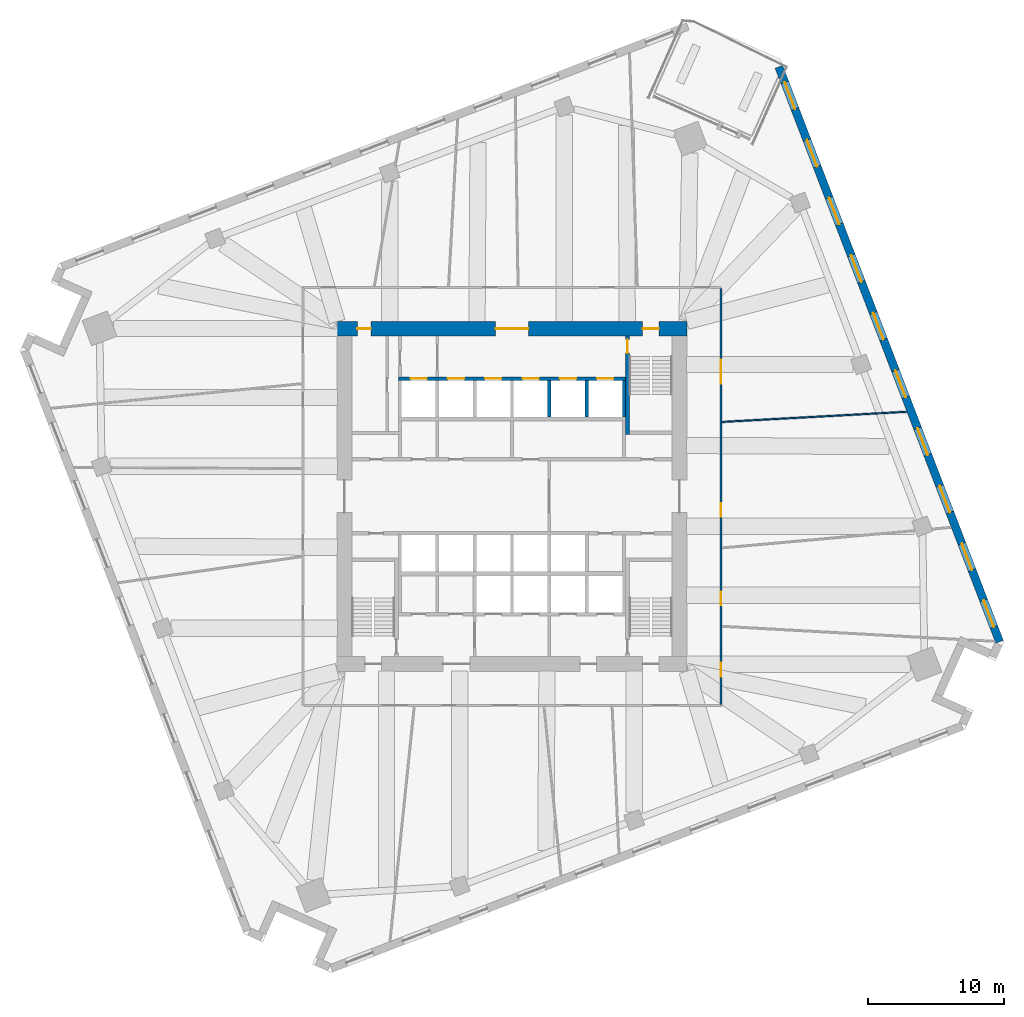
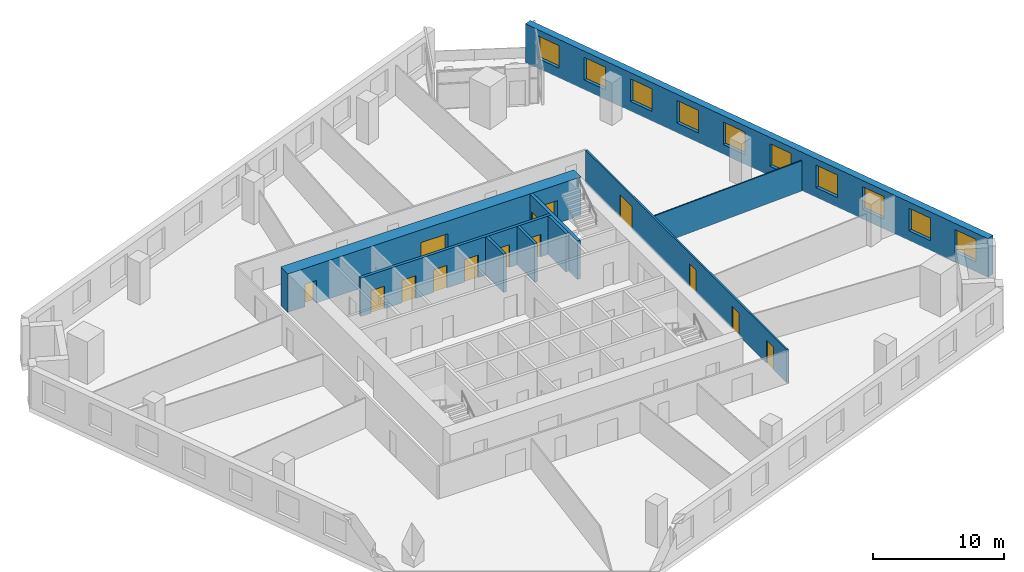
# One storey, part 11 of 14: 14 doors, 10 windows, 9 walls, 24 openings.
"""IFC4 building model written with IfcOpenShell, lengths in metres."""

from ifc_helpers import new_model, si_unit, direction, frame, frame_2d, origin, place, context, subcontext, project, spatial, rectangle, extrude, material, layer, layer_set, type_object, element, fill, save


model = new_model("IFC4")

# Units and contexts
model_context = context("Model", 3, precision=1e-05, world=origin(), true_north=direction((0.0, 1.0)))
body_context = subcontext(model_context, "Body", "Model", "MODEL_VIEW")
ifc_project = project(units=[si_unit("LENGTHUNIT", "METRE"), si_unit("AREAUNIT", "SQUARE_METRE"), si_unit("VOLUMEUNIT", "CUBIC_METRE"), si_unit("PLANEANGLEUNIT", "RADIAN"), si_unit("MASSUNIT", "GRAM", prefix="KILO")], contexts=[model_context])

# Site, building, storey
site_placement = place(None, origin())
site = spatial("IfcSite", under=ifc_project, at=site_placement, CompositionType="ELEMENT")
building_placement = place(site_placement, origin())
building = spatial("IfcBuilding", under=site, at=building_placement, Name="Dilmun Exchange Tower", CompositionType="ELEMENT")
storey_placement = place(building_placement, frame((0.0, 0.0, 106.10009765625)))
storey = spatial("IfcBuildingStorey", under=building, at=storey_placement, Name="L24", CompositionType="ELEMENT", Elevation=106.10009765625)

# Wall, openings, doors
ifc_material_1 = material(Name="Concrete C80/95", Category="concrete")
ifc_layer_1 = layer(ifc_material_1, 1.10009765625)
ifc_layer_set_1 = layer_set([ifc_layer_1], Name="Concrete C80/95")
wall_type_1 = type_object("IfcWallType", Name="Core shear wall 1100 Concrete C80/95", PredefinedType="SHEAR", material=ifc_layer_set_1)
wall_1_placement = place(storey_placement, frame((-12.89990234375, 12.35009765625, 0.0), z_axis=(0.0, 0.0, 1.0), x_axis=(1.0, 0.0, 0.0)))
wall_1 = element("IfcWall", 1, at=wall_1_placement, inside=storey, type_object=wall_type_1, Name="L24 core shear wall N", PredefinedType="SHEAR", context=body_context, shape_type="SweptSolid", body=[
    extrude(rectangle(XDim=25.7998046875, YDim=1.10009765625, at=frame_2d((12.89990234375, 0.0))), origin(), (0.0, 0.0, 1.0), 3.579833984375),
])
opening_1_placement = place(wall_1_placement, frame((11.699951171875, 0.0, 0.0)))
opening_1 = element("IfcOpeningElement", 2, at=opening_1_placement, cuts=wall_1, Name="Opening CD1", PredefinedType="OPENING", context=body_context, shape_type="SweptSolid", body=[
    extrude(rectangle(XDim=2.39990234375, YDim=2.39990234375, at=frame_2d((1.199951171875, 1.199951171875))), frame((0.0, 0.56005859375, 0.0), z_axis=(0.0, -1.0, 0.0), x_axis=(1.0, 0.0, 0.0)), (0.0, 0.0, 1.0), 1.1201171875),
])
opening_2_placement = place(wall_1_placement, frame((22.52490234375, 0.0, 0.0)))
opening_2 = element("IfcOpeningElement", 3, at=opening_2_placement, cuts=wall_1, Name="Opening CD3", PredefinedType="OPENING", context=body_context, shape_type="SweptSolid", body=[
    extrude(rectangle(XDim=1.199951171875, YDim=2.10009765625, at=frame_2d((0.60009765625, 1.050048828125))), frame((0.0, 0.56005859375, 0.0), z_axis=(0.0, -1.0, 0.0), x_axis=(1.0, 0.0, 0.0)), (0.0, 0.0, 1.0), 1.1201171875),
])
opening_3_placement = place(wall_1_placement, frame((1.5, 0.0, 0.0)))
opening_3 = element("IfcOpeningElement", 4, at=opening_3_placement, cuts=wall_1, Name="Opening CD4", PredefinedType="OPENING", context=body_context, shape_type="SweptSolid", body=[
    extrude(rectangle(XDim=1.0, YDim=2.10009765625, at=frame_2d((0.5, 1.050048828125))), frame((0.0, 0.56005859375, 0.0), z_axis=(0.0, -1.0, 0.0), x_axis=(1.0, 0.0, 0.0)), (0.0, 0.0, 1.0), 1.1201171875),
])
ifc_material_2 = material(Name="Fire-rated steel door set", Category="steel")
door_type_1 = type_object("IfcDoorType", Name="Core lobby door 2400x2400", OperationType="DOUBLE_DOOR_DOUBLE_SWING", PredefinedType="DOOR", material=ifc_material_2)
door_1_placement = place(opening_1_placement, origin())
door_1 = element("IfcDoor", 5, at=door_1_placement, inside=storey, type_object=door_type_1, Name="L24 door North lift lobby", OperationType="SINGLE_SWING_LEFT", OverallHeight=2.39990234375, OverallWidth=2.39990234375, PredefinedType="DOOR", context=body_context, shape_type="SweptSolid", body=[
    extrude(rectangle(XDim=2.39990234375, YDim=2.39990234375, at=frame_2d((1.199951171875, 1.199951171875))), frame((0.0, 0.02490234375, 0.0), z_axis=(0.0, -1.0, 0.0), x_axis=(1.0, 0.0, 0.0)), (0.0, 0.0, 1.0), 0.050048828125),
])
fill(opening_1, door_1)
door_type_2 = type_object("IfcDoorType", Name="Core room door 1000x2100", OperationType="SINGLE_SWING_LEFT", PredefinedType="DOOR", material=ifc_material_2)
door_2_placement = place(opening_3_placement, origin())
door_2 = element("IfcDoor", 6, at=door_2_placement, inside=storey, type_object=door_type_2, Name="L24 door North-west core rooms", OperationType="SINGLE_SWING_LEFT", OverallHeight=2.10009765625, OverallWidth=1.0, PredefinedType="DOOR", context=body_context, shape_type="SweptSolid", body=[
    extrude(rectangle(XDim=1.0, YDim=2.10009765625, at=frame_2d((0.5, 1.050048828125))), frame((0.0, 0.02490234375, 0.0), z_axis=(0.0, -1.0, 0.0), x_axis=(1.0, 0.0, 0.0)), (0.0, 0.0, 1.0), 0.050048828125),
])
fill(opening_3, door_2)
door_type_3 = type_object("IfcDoorType", Name="Stair exit door 1200x2100", OperationType="SINGLE_SWING_LEFT", PredefinedType="DOOR", material=ifc_material_2)
door_3_placement = place(opening_2_placement, origin())
door_3 = element("IfcDoor", 7, at=door_3_placement, inside=storey, type_object=door_type_3, Name="L24 door Stair ST1", OperationType="SINGLE_SWING_LEFT", OverallHeight=2.10009765625, OverallWidth=1.199951171875, PredefinedType="DOOR", context=body_context, shape_type="SweptSolid", body=[
    extrude(rectangle(XDim=1.199951171875, YDim=2.10009765625, at=frame_2d((0.60009765625, 1.050048828125))), frame((0.0, 0.02490234375, 0.0), z_axis=(0.0, -1.0, 0.0), x_axis=(1.0, 0.0, 0.0)), (0.0, 0.0, 1.0), 0.050048828125),
])
fill(opening_2, door_3)

ifc_material_3 = material(Name="Corridor wall 150")
ifc_layer_2 = layer(ifc_material_3, 0.14990234375)
ifc_layer_set_2 = layer_set([ifc_layer_2], Name="Corridor wall 150")
wall_type_2 = type_object("IfcWallType", Name="Corridor wall 150", PredefinedType="PARTITIONING", material=ifc_layer_set_2)
wall_2_placement = place(storey_placement, frame((15.39990234375, -15.324951171875, 0.0), z_axis=(0.0, 0.0, 1.0), x_axis=(0.0, 1.0, 0.0)))
wall_2 = element("IfcWall", 8, at=wall_2_placement, inside=storey, type_object=wall_type_2, Name="Corridor wall", PredefinedType="PARTITIONING", context=body_context, shape_type="SweptSolid", body=[
    extrude(rectangle(XDim=30.64990234375, YDim=0.14990234375, at=frame_2d((15.324951171875, 0.0))), origin(), (0.0, 0.0, 1.0), 3.079833984375),
])
opening_4_placement = place(wall_2_placement, frame((23.606201171875, 0.0, 0.0)))
opening_4 = element("IfcOpeningElement", 9, at=opening_4_placement, cuts=wall_2, Name="Opening TF23-D13", PredefinedType="OPENING", context=body_context, shape_type="SweptSolid", body=[
    extrude(rectangle(XDim=1.800048828125, YDim=2.10009765625, at=frame_2d((0.89990234375, 1.050048828125))), frame((0.0, 0.0849609375, 0.0), z_axis=(0.0, -1.0, 0.0), x_axis=(1.0, 0.0, 0.0)), (0.0, 0.0, 1.0), 0.169921875),
])
opening_5_placement = place(wall_2_placement, frame((2.050048828125, 0.0, 0.0)))
opening_5 = element("IfcOpeningElement", 10, at=opening_5_placement, cuts=wall_2, Name="Opening TF23-D16", PredefinedType="OPENING", context=body_context, shape_type="SweptSolid", body=[
    extrude(rectangle(XDim=1.0, YDim=2.10009765625, at=frame_2d((0.5, 1.050048828125))), frame((0.0, 0.0849609375, 0.0), z_axis=(0.0, -1.0, 0.0), x_axis=(1.0, 0.0, 0.0)), (0.0, 0.0, 1.0), 0.169921875),
])
opening_6_placement = place(wall_2_placement, frame((13.82177734375, 0.0, 0.0)))
opening_6 = element("IfcOpeningElement", 11, at=opening_6_placement, cuts=wall_2, Name="Opening TF23-D17", PredefinedType="OPENING", context=body_context, shape_type="SweptSolid", body=[
    extrude(rectangle(XDim=1.0, YDim=2.10009765625, at=frame_2d((0.5, 1.050048828125))), frame((0.0, 0.0849609375, 0.0), z_axis=(0.0, -1.0, 0.0), x_axis=(1.0, 0.0, 0.0)), (0.0, 0.0, 1.0), 0.169921875),
])
opening_7_placement = place(wall_2_placement, frame((7.305908203125, 0.0, 0.0)))
opening_7 = element("IfcOpeningElement", 12, at=opening_7_placement, cuts=wall_2, Name="Opening TF23-D18", PredefinedType="OPENING", context=body_context, shape_type="SweptSolid", body=[
    extrude(rectangle(XDim=1.0, YDim=2.10009765625, at=frame_2d((0.5, 1.050048828125))), frame((0.0, 0.0849609375, 0.0), z_axis=(0.0, -1.0, 0.0), x_axis=(1.0, 0.0, 0.0)), (0.0, 0.0, 1.0), 0.169921875),
])
ifc_material_4 = material(Name="Fire door 1000 x 2100")
door_type_4 = type_object("IfcDoorType", Name="Fire door 1000 x 2100", OperationType="NOTDEFINED", PredefinedType="DOOR", material=ifc_material_4)
door_4_placement = place(opening_5_placement, frame((1.0, 0.0, 0.0), z_axis=(0.0, 0.0, 1.0), x_axis=(-1.0, 0.0, 0.0)))
door_4 = element("IfcDoor", 13, at=door_4_placement, inside=storey, type_object=door_type_4, Name="Door TF23-D16", OperationType="SINGLE_SWING_RIGHT", OverallHeight=2.10009765625, OverallWidth=1.0, PredefinedType="DOOR", context=body_context, shape_type="SweptSolid", body=[
    extrude(rectangle(XDim=1.0, YDim=2.10009765625, at=frame_2d((0.5, 1.050048828125))), frame((0.0, 0.02490234375, 0.0), z_axis=(0.0, -1.0, 0.0), x_axis=(1.0, 0.0, 0.0)), (0.0, 0.0, 1.0), 0.050048828125),
])
fill(opening_5, door_4)
door_5_placement = place(opening_6_placement, frame((1.0, 0.0, 0.0), z_axis=(0.0, 0.0, 1.0), x_axis=(-1.0, 0.0, 0.0)))
door_5 = element("IfcDoor", 14, at=door_5_placement, inside=storey, type_object=door_type_4, Name="Door TF23-D17", OperationType="SINGLE_SWING_RIGHT", OverallHeight=2.10009765625, OverallWidth=1.0, PredefinedType="DOOR", context=body_context, shape_type="SweptSolid", body=[
    extrude(rectangle(XDim=1.0, YDim=2.10009765625, at=frame_2d((0.5, 1.050048828125))), frame((0.0, 0.02490234375, 0.0), z_axis=(0.0, -1.0, 0.0), x_axis=(1.0, 0.0, 0.0)), (0.0, 0.0, 1.0), 0.050048828125),
])
fill(opening_6, door_5)
door_6_placement = place(opening_7_placement, frame((1.0, 0.0, 0.0), z_axis=(0.0, 0.0, 1.0), x_axis=(-1.0, 0.0, 0.0)))
door_6 = element("IfcDoor", 15, at=door_6_placement, inside=storey, type_object=door_type_4, Name="Door TF23-D18", OperationType="SINGLE_SWING_RIGHT", OverallHeight=2.10009765625, OverallWidth=1.0, PredefinedType="DOOR", context=body_context, shape_type="SweptSolid", body=[
    extrude(rectangle(XDim=1.0, YDim=2.10009765625, at=frame_2d((0.5, 1.050048828125))), frame((0.0, 0.02490234375, 0.0), z_axis=(0.0, -1.0, 0.0), x_axis=(1.0, 0.0, 0.0)), (0.0, 0.0, 1.0), 0.050048828125),
])
fill(opening_7, door_6)
ifc_material_5 = material(Name="Fire door pair 1800 x 2100")
door_type_5 = type_object("IfcDoorType", Name="Fire door pair 1800 x 2100", OperationType="NOTDEFINED", PredefinedType="DOOR", material=ifc_material_5)
door_7_placement = place(opening_4_placement, frame((1.800048828125, 0.0, 0.0), z_axis=(0.0, 0.0, 1.0), x_axis=(-1.0, 0.0, 0.0)))
door_7 = element("IfcDoor", 16, at=door_7_placement, inside=storey, type_object=door_type_5, Name="Door TF23-D13", OperationType="DOUBLE_DOOR_SINGLE_SWING", OverallHeight=2.10009765625, OverallWidth=1.800048828125, PredefinedType="DOOR", context=body_context, shape_type="SweptSolid", body=[
    extrude(rectangle(XDim=1.800048828125, YDim=2.10009765625, at=frame_2d((0.89990234375, 1.050048828125))), frame((0.0, 0.02490234375, 0.0), z_axis=(0.0, -1.0, 0.0), x_axis=(1.0, 0.0, 0.0)), (0.0, 0.0, 1.0), 0.050048828125),
])
fill(opening_4, door_7)

ifc_material_6 = material(Name="Concrete C40/50", Category="concrete")
ifc_layer_3 = layer(ifc_material_6, 0.25)
ifc_layer_set_3 = layer_set([ifc_layer_3], Name="Concrete C40/50")
wall_type_3 = type_object("IfcWallType", Name="Lift shaft wall 250", PredefinedType="SOLIDWALL", material=ifc_layer_set_3)
wall_3_placement = place(storey_placement, frame((-8.375, 8.675048828125, 0.0), z_axis=(0.0, 0.0, 1.0), x_axis=(1.0, 0.0, 0.0)))
wall_3 = element("IfcWall", 17, at=wall_3_placement, inside=storey, type_object=wall_type_3, Name="L24 lift shaft front wall N2", PredefinedType="SOLIDWALL", context=body_context, shape_type="SweptSolid", body=[
    extrude(rectangle(XDim=16.75, YDim=0.25, at=frame_2d((8.375, 0.0))), origin(), (0.0, 0.0, 1.0), 3.579833984375),
])
opening_8_placement = place(wall_3_placement, frame((0.89990234375, 0.0, 0.0)))
opening_8 = element("IfcOpeningElement", 18, at=opening_8_placement, cuts=wall_3, Name="Opening LD", PredefinedType="OPENING", context=body_context, shape_type="SweptSolid", body=[
    extrude(rectangle(XDim=1.199951171875, YDim=2.10009765625, at=frame_2d((0.60009765625, 1.050048828125))), frame((0.0, 0.135009765625, 0.0), z_axis=(0.0, -1.0, 0.0), x_axis=(1.0, 0.0, 0.0)), (0.0, 0.0, 1.0), 0.27001953125),
])
opening_9_placement = place(wall_3_placement, frame((3.64990234375, 0.0, 0.0)))
opening_9 = element("IfcOpeningElement", 19, at=opening_9_placement, cuts=wall_3, Name="Opening LD", PredefinedType="OPENING", context=body_context, shape_type="SweptSolid", body=[
    extrude(rectangle(XDim=1.199951171875, YDim=2.10009765625, at=frame_2d((0.60009765625, 1.050048828125))), frame((0.0, 0.135009765625, 0.0), z_axis=(0.0, -1.0, 0.0), x_axis=(1.0, 0.0, 0.0)), (0.0, 0.0, 1.0), 0.27001953125),
])
opening_10_placement = place(wall_3_placement, frame((6.39990234375, 0.0, 0.0)))
opening_10 = element("IfcOpeningElement", 20, at=opening_10_placement, cuts=wall_3, Name="Opening LD", PredefinedType="OPENING", context=body_context, shape_type="SweptSolid", body=[
    extrude(rectangle(XDim=1.199951171875, YDim=2.10009765625, at=frame_2d((0.60009765625, 1.050048828125))), frame((0.0, 0.135009765625, 0.0), z_axis=(0.0, -1.0, 0.0), x_axis=(1.0, 0.0, 0.0)), (0.0, 0.0, 1.0), 0.27001953125),
])
opening_11_placement = place(wall_3_placement, frame((9.14990234375, 0.0, 0.0)))
opening_11 = element("IfcOpeningElement", 21, at=opening_11_placement, cuts=wall_3, Name="Opening LD", PredefinedType="OPENING", context=body_context, shape_type="SweptSolid", body=[
    extrude(rectangle(XDim=1.199951171875, YDim=2.10009765625, at=frame_2d((0.60009765625, 1.050048828125))), frame((0.0, 0.135009765625, 0.0), z_axis=(0.0, -1.0, 0.0), x_axis=(1.0, 0.0, 0.0)), (0.0, 0.0, 1.0), 0.27001953125),
])
opening_12_placement = place(wall_3_placement, frame((11.89990234375, 0.0, 0.0)))
opening_12 = element("IfcOpeningElement", 22, at=opening_12_placement, cuts=wall_3, Name="Opening LD", PredefinedType="OPENING", context=body_context, shape_type="SweptSolid", body=[
    extrude(rectangle(XDim=1.199951171875, YDim=2.10009765625, at=frame_2d((0.60009765625, 1.050048828125))), frame((0.0, 0.135009765625, 0.0), z_axis=(0.0, -1.0, 0.0), x_axis=(1.0, 0.0, 0.0)), (0.0, 0.0, 1.0), 0.27001953125),
])
opening_13_placement = place(wall_3_placement, frame((14.64990234375, 0.0, 0.0)))
opening_13 = element("IfcOpeningElement", 23, at=opening_13_placement, cuts=wall_3, Name="Opening LD", PredefinedType="OPENING", context=body_context, shape_type="SweptSolid", body=[
    extrude(rectangle(XDim=1.199951171875, YDim=2.10009765625, at=frame_2d((0.60009765625, 1.050048828125))), frame((0.0, 0.135009765625, 0.0), z_axis=(0.0, -1.0, 0.0), x_axis=(1.0, 0.0, 0.0)), (0.0, 0.0, 1.0), 0.27001953125),
])
door_type_6 = type_object("IfcDoorType", Name="Lift landing door 1200x2100", OperationType="DOUBLE_DOOR_SLIDING", PredefinedType="DOOR", material=ifc_material_2)
door_8_placement = place(opening_8_placement, origin())
door_8 = element("IfcDoor", 24, at=door_8_placement, inside=storey, type_object=door_type_6, Name="L24 landing door LR1", OperationType="DOUBLE_DOOR_SLIDING", OverallHeight=2.10009765625, OverallWidth=1.199951171875, PredefinedType="DOOR", context=body_context, shape_type="SweptSolid", body=[
    extrude(rectangle(XDim=1.199951171875, YDim=2.10009765625, at=frame_2d((0.60009765625, 1.050048828125))), frame((0.0, 0.02490234375, 0.0), z_axis=(0.0, -1.0, 0.0), x_axis=(1.0, 0.0, 0.0)), (0.0, 0.0, 1.0), 0.050048828125),
])
fill(opening_8, door_8)
door_9_placement = place(opening_9_placement, origin())
door_9 = element("IfcDoor", 25, at=door_9_placement, inside=storey, type_object=door_type_6, Name="L24 landing door LR2", OperationType="DOUBLE_DOOR_SLIDING", OverallHeight=2.10009765625, OverallWidth=1.199951171875, PredefinedType="DOOR", context=body_context, shape_type="SweptSolid", body=[
    extrude(rectangle(XDim=1.199951171875, YDim=2.10009765625, at=frame_2d((0.60009765625, 1.050048828125))), frame((0.0, 0.02490234375, 0.0), z_axis=(0.0, -1.0, 0.0), x_axis=(1.0, 0.0, 0.0)), (0.0, 0.0, 1.0), 0.050048828125),
])
fill(opening_9, door_9)
door_10_placement = place(opening_10_placement, origin())
door_10 = element("IfcDoor", 26, at=door_10_placement, inside=storey, type_object=door_type_6, Name="L24 landing door LR3", OperationType="DOUBLE_DOOR_SLIDING", OverallHeight=2.10009765625, OverallWidth=1.199951171875, PredefinedType="DOOR", context=body_context, shape_type="SweptSolid", body=[
    extrude(rectangle(XDim=1.199951171875, YDim=2.10009765625, at=frame_2d((0.60009765625, 1.050048828125))), frame((0.0, 0.02490234375, 0.0), z_axis=(0.0, -1.0, 0.0), x_axis=(1.0, 0.0, 0.0)), (0.0, 0.0, 1.0), 0.050048828125),
])
fill(opening_10, door_10)
door_11_placement = place(opening_11_placement, origin())
door_11 = element("IfcDoor", 27, at=door_11_placement, inside=storey, type_object=door_type_6, Name="L24 landing door LR4", OperationType="DOUBLE_DOOR_SLIDING", OverallHeight=2.10009765625, OverallWidth=1.199951171875, PredefinedType="DOOR", context=body_context, shape_type="SweptSolid", body=[
    extrude(rectangle(XDim=1.199951171875, YDim=2.10009765625, at=frame_2d((0.60009765625, 1.050048828125))), frame((0.0, 0.02490234375, 0.0), z_axis=(0.0, -1.0, 0.0), x_axis=(1.0, 0.0, 0.0)), (0.0, 0.0, 1.0), 0.050048828125),
])
fill(opening_11, door_11)
door_12_placement = place(opening_12_placement, origin())
door_12 = element("IfcDoor", 28, at=door_12_placement, inside=storey, type_object=door_type_6, Name="L24 landing door LR5", OperationType="DOUBLE_DOOR_SLIDING", OverallHeight=2.10009765625, OverallWidth=1.199951171875, PredefinedType="DOOR", context=body_context, shape_type="SweptSolid", body=[
    extrude(rectangle(XDim=1.199951171875, YDim=2.10009765625, at=frame_2d((0.60009765625, 1.050048828125))), frame((0.0, 0.02490234375, 0.0), z_axis=(0.0, -1.0, 0.0), x_axis=(1.0, 0.0, 0.0)), (0.0, 0.0, 1.0), 0.050048828125),
])
fill(opening_12, door_12)
door_13_placement = place(opening_13_placement, origin())
door_13 = element("IfcDoor", 29, at=door_13_placement, inside=storey, type_object=door_type_6, Name="L24 landing door LR6", OperationType="DOUBLE_DOOR_SLIDING", OverallHeight=2.10009765625, OverallWidth=1.199951171875, PredefinedType="DOOR", context=body_context, shape_type="SweptSolid", body=[
    extrude(rectangle(XDim=1.199951171875, YDim=2.10009765625, at=frame_2d((0.60009765625, 1.050048828125))), frame((0.0, 0.02490234375, 0.0), z_axis=(0.0, -1.0, 0.0), x_axis=(1.0, 0.0, 0.0)), (0.0, 0.0, 1.0), 0.050048828125),
])
fill(opening_13, door_13)

# Walls
for number, where, z_axis, x_axis, name in (
    (30, (2.75, 5.85009765625, 0.0), (0.0, 0.0, 1.0), (0.0, 1.0, 0.0), "L24 lift shaft divider N24"),
    (31, (5.5, 5.85009765625, 0.0), (0.0, 0.0, 1.0), (0.0, 1.0, 0.0), "L24 lift shaft divider N25"),
    (32, (8.25, 5.85009765625, 0.0), (0.0, 0.0, 1.0), (0.0, 1.0, 0.0), "L24 lift shaft divider N26"),
):
    element("IfcWall", number, at=place(storey_placement, frame(where, z_axis=z_axis, x_axis=x_axis)), inside=storey, type_object=wall_type_3, Name=name, PredefinedType="SOLIDWALL", context=body_context, shape_type="SweptSolid", body=[
        extrude(rectangle(XDim=2.699951171875, YDim=0.25, at=frame_2d((1.35009765625, 0.0))), origin(), (0.0, 0.0, 1.0), 3.579833984375),
    ])
ifc_material_7 = material(Name="Partition 100")
ifc_layer_4 = layer(ifc_material_7, 0.10009765625)
ifc_layer_set_4 = layer_set([ifc_layer_4], Name="Partition 100")
wall_type_4 = type_object("IfcWallType", Name="Partition 100", PredefinedType="PARTITIONING", material=ifc_layer_set_4)
wall_4_placement = place(storey_placement, frame((15.477783203125, 5.4853515625, 0.0), z_axis=(0.0, 0.0, 1.0), x_axis=(0.998486949927, 0.054989188257, 0.0)))
element("IfcWall", 33, at=wall_4_placement, inside=storey, type_object=wall_type_4, Name="Partition", PredefinedType="PARTITIONING", context=body_context, shape_type="SweptSolid", body=[
    extrude(rectangle(XDim=13.63916015625, YDim=0.10009765625, at=frame_2d((6.819580078125, 0.0))), origin(), (0.0, 0.0, 1.0), 2.829833984375),
])

# Wall, openings, windows
ifc_material_8 = material(Name="Precast concrete C50/60", Category="concrete")
ifc_layer_5 = layer(ifc_material_8, 0.60009765625)
ifc_layer_set_5 = layer_set([ifc_layer_5], Name="Precast concrete C50/60")
wall_type_5 = type_object("IfcWallType", Name="Precast stone-clad wall 600", PredefinedType="STANDARD", material=ifc_layer_set_5)
wall_5_placement = place(storey_placement, frame((35.92529296875, -10.712890625, 0.0), z_axis=(0.0, 0.0, 1.0), x_axis=(-0.35836716154, 0.933580728984, 0.0)))
wall_5 = element("IfcWall", 34, at=wall_5_placement, inside=storey, type_object=wall_type_5, Name="Facade wall L24-21", PredefinedType="STANDARD", context=body_context, shape_type="SweptSolid", body=[
    extrude(rectangle(XDim=45.3759765625, YDim=0.60009765625, at=frame_2d((22.68798828125, 0.0))), origin(), (0.0, 0.0, 1.0), 3.579833984375),
])
opening_14_placement = place(wall_5_placement, frame((1.162841796875, 0.0, 0.89990234375)))
opening_14 = element("IfcOpeningElement", 35, at=opening_14_placement, cuts=wall_5, Name="Opening W210-210", PredefinedType="OPENING", context=body_context, shape_type="SweptSolid", body=[
    extrude(rectangle(XDim=2.10009765625, YDim=2.10009765625, at=frame_2d((1.050048828125, 1.050048828125))), frame((0.0, 0.31005859375, 0.0), z_axis=(0.0, -1.0, 0.0), x_axis=(1.0, 0.0, 0.0)), (0.0, 0.0, 1.0), 0.6201171875),
])
opening_15_placement = place(wall_5_placement, frame((5.650634765625, 0.0, 0.89990234375)))
opening_15 = element("IfcOpeningElement", 36, at=opening_15_placement, cuts=wall_5, Name="Opening W210-210", PredefinedType="OPENING", context=body_context, shape_type="SweptSolid", body=[
    extrude(rectangle(XDim=2.10009765625, YDim=2.10009765625, at=frame_2d((1.050048828125, 1.050048828125))), frame((0.0, 0.31005859375, 0.0), z_axis=(0.0, -1.0, 0.0), x_axis=(1.0, 0.0, 0.0)), (0.0, 0.0, 1.0), 0.6201171875),
])
opening_16_placement = place(wall_5_placement, frame((10.20068359375, 0.0, 0.89990234375)))
opening_16 = element("IfcOpeningElement", 37, at=opening_16_placement, cuts=wall_5, Name="Opening W210-210", PredefinedType="OPENING", context=body_context, shape_type="SweptSolid", body=[
    extrude(rectangle(XDim=2.10009765625, YDim=2.10009765625, at=frame_2d((1.050048828125, 1.050048828125))), frame((0.0, 0.31005859375, 0.0), z_axis=(0.0, -1.0, 0.0), x_axis=(1.0, 0.0, 0.0)), (0.0, 0.0, 1.0), 0.6201171875),
])
opening_17_placement = place(wall_5_placement, frame((14.750732421875, 0.0, 0.89990234375)))
opening_17 = element("IfcOpeningElement", 38, at=opening_17_placement, cuts=wall_5, Name="Opening W210-210", PredefinedType="OPENING", context=body_context, shape_type="SweptSolid", body=[
    extrude(rectangle(XDim=2.10009765625, YDim=2.10009765625, at=frame_2d((1.050048828125, 1.050048828125))), frame((0.0, 0.31005859375, 0.0), z_axis=(0.0, -1.0, 0.0), x_axis=(1.0, 0.0, 0.0)), (0.0, 0.0, 1.0), 0.6201171875),
])
opening_18_placement = place(wall_5_placement, frame((19.30078125, 0.0, 0.89990234375)))
opening_18 = element("IfcOpeningElement", 39, at=opening_18_placement, cuts=wall_5, Name="Opening W210-210", PredefinedType="OPENING", context=body_context, shape_type="SweptSolid", body=[
    extrude(rectangle(XDim=2.10009765625, YDim=2.10009765625, at=frame_2d((1.050048828125, 1.050048828125))), frame((0.0, 0.31005859375, 0.0), z_axis=(0.0, -1.0, 0.0), x_axis=(1.0, 0.0, 0.0)), (0.0, 0.0, 1.0), 0.6201171875),
])
opening_19_placement = place(wall_5_placement, frame((23.8505859375, 0.0, 0.89990234375)))
opening_19 = element("IfcOpeningElement", 40, at=opening_19_placement, cuts=wall_5, Name="Opening W210-210", PredefinedType="OPENING", context=body_context, shape_type="SweptSolid", body=[
    extrude(rectangle(XDim=2.10009765625, YDim=2.10009765625, at=frame_2d((1.050048828125, 1.050048828125))), frame((0.0, 0.31005859375, 0.0), z_axis=(0.0, -1.0, 0.0), x_axis=(1.0, 0.0, 0.0)), (0.0, 0.0, 1.0), 0.6201171875),
])
opening_20_placement = place(wall_5_placement, frame((28.400634765625, 0.0, 0.89990234375)))
opening_20 = element("IfcOpeningElement", 41, at=opening_20_placement, cuts=wall_5, Name="Opening W210-210", PredefinedType="OPENING", context=body_context, shape_type="SweptSolid", body=[
    extrude(rectangle(XDim=2.10009765625, YDim=2.10009765625, at=frame_2d((1.050048828125, 1.050048828125))), frame((0.0, 0.31005859375, 0.0), z_axis=(0.0, -1.0, 0.0), x_axis=(1.0, 0.0, 0.0)), (0.0, 0.0, 1.0), 0.6201171875),
])
opening_21_placement = place(wall_5_placement, frame((32.95068359375, 0.0, 0.89990234375)))
opening_21 = element("IfcOpeningElement", 42, at=opening_21_placement, cuts=wall_5, Name="Opening W210-210", PredefinedType="OPENING", context=body_context, shape_type="SweptSolid", body=[
    extrude(rectangle(XDim=2.10009765625, YDim=2.10009765625, at=frame_2d((1.050048828125, 1.050048828125))), frame((0.0, 0.31005859375, 0.0), z_axis=(0.0, -1.0, 0.0), x_axis=(1.0, 0.0, 0.0)), (0.0, 0.0, 1.0), 0.6201171875),
])
opening_22_placement = place(wall_5_placement, frame((37.500732421875, 0.0, 0.89990234375)))
opening_22 = element("IfcOpeningElement", 43, at=opening_22_placement, cuts=wall_5, Name="Opening W210-210", PredefinedType="OPENING", context=body_context, shape_type="SweptSolid", body=[
    extrude(rectangle(XDim=2.10009765625, YDim=2.10009765625, at=frame_2d((1.050048828125, 1.050048828125))), frame((0.0, 0.31005859375, 0.0), z_axis=(0.0, -1.0, 0.0), x_axis=(1.0, 0.0, 0.0)), (0.0, 0.0, 1.0), 0.6201171875),
])
opening_23_placement = place(wall_5_placement, frame((42.05078125, 0.0, 0.89990234375)))
opening_23 = element("IfcOpeningElement", 44, at=opening_23_placement, cuts=wall_5, Name="Opening W210-210", PredefinedType="OPENING", context=body_context, shape_type="SweptSolid", body=[
    extrude(rectangle(XDim=2.10009765625, YDim=2.10009765625, at=frame_2d((1.050048828125, 1.050048828125))), frame((0.0, 0.31005859375, 0.0), z_axis=(0.0, -1.0, 0.0), x_axis=(1.0, 0.0, 0.0)), (0.0, 0.0, 1.0), 0.6201171875),
])
ifc_material_9 = material(Name="Clear low-emissivity glass in aluminium frame", Category="aluminium")
window_type = type_object("IfcWindowType", Name="Punched window 2100 x 2100", PartitioningType="DOUBLE_PANEL_VERTICAL", PredefinedType="WINDOW", material=ifc_material_9)
window_1_placement = place(opening_14_placement, origin())
window_1 = element("IfcWindow", 45, at=window_1_placement, inside=storey, type_object=window_type, Name="Window 22.1", OverallHeight=2.10009765625, OverallWidth=2.10009765625, PartitioningType="SINGLE_PANEL", PredefinedType="WINDOW", context=body_context, shape_type="SweptSolid", body=[
    extrude(rectangle(XDim=2.10009765625, YDim=2.10009765625, at=frame_2d((1.050048828125, 1.050048828125))), frame((0.0, 0.030029296875, 0.0), z_axis=(0.0, -1.0, 0.0), x_axis=(1.0, 0.0, 0.0)), (0.0, 0.0, 1.0), 0.06005859375),
])
fill(opening_14, window_1)
window_2_placement = place(opening_15_placement, origin())
window_2 = element("IfcWindow", 46, at=window_2_placement, inside=storey, type_object=window_type, Name="Window 22.2", OverallHeight=2.10009765625, OverallWidth=2.10009765625, PartitioningType="SINGLE_PANEL", PredefinedType="WINDOW", context=body_context, shape_type="SweptSolid", body=[
    extrude(rectangle(XDim=2.10009765625, YDim=2.10009765625, at=frame_2d((1.050048828125, 1.050048828125))), frame((0.0, 0.030029296875, 0.0), z_axis=(0.0, -1.0, 0.0), x_axis=(1.0, 0.0, 0.0)), (0.0, 0.0, 1.0), 0.06005859375),
])
fill(opening_15, window_2)
window_3_placement = place(opening_16_placement, origin())
window_3 = element("IfcWindow", 47, at=window_3_placement, inside=storey, type_object=window_type, Name="Window 22.3", OverallHeight=2.10009765625, OverallWidth=2.10009765625, PartitioningType="SINGLE_PANEL", PredefinedType="WINDOW", context=body_context, shape_type="SweptSolid", body=[
    extrude(rectangle(XDim=2.10009765625, YDim=2.10009765625, at=frame_2d((1.050048828125, 1.050048828125))), frame((0.0, 0.030029296875, 0.0), z_axis=(0.0, -1.0, 0.0), x_axis=(1.0, 0.0, 0.0)), (0.0, 0.0, 1.0), 0.06005859375),
])
fill(opening_16, window_3)
window_4_placement = place(opening_17_placement, origin())
window_4 = element("IfcWindow", 48, at=window_4_placement, inside=storey, type_object=window_type, Name="Window 22.4", OverallHeight=2.10009765625, OverallWidth=2.10009765625, PartitioningType="SINGLE_PANEL", PredefinedType="WINDOW", context=body_context, shape_type="SweptSolid", body=[
    extrude(rectangle(XDim=2.10009765625, YDim=2.10009765625, at=frame_2d((1.050048828125, 1.050048828125))), frame((0.0, 0.030029296875, 0.0), z_axis=(0.0, -1.0, 0.0), x_axis=(1.0, 0.0, 0.0)), (0.0, 0.0, 1.0), 0.06005859375),
])
fill(opening_17, window_4)
window_5_placement = place(opening_18_placement, origin())
window_5 = element("IfcWindow", 49, at=window_5_placement, inside=storey, type_object=window_type, Name="Window 22.5", OverallHeight=2.10009765625, OverallWidth=2.10009765625, PartitioningType="SINGLE_PANEL", PredefinedType="WINDOW", context=body_context, shape_type="SweptSolid", body=[
    extrude(rectangle(XDim=2.10009765625, YDim=2.10009765625, at=frame_2d((1.050048828125, 1.050048828125))), frame((0.0, 0.030029296875, 0.0), z_axis=(0.0, -1.0, 0.0), x_axis=(1.0, 0.0, 0.0)), (0.0, 0.0, 1.0), 0.06005859375),
])
fill(opening_18, window_5)
window_6_placement = place(opening_19_placement, origin())
window_6 = element("IfcWindow", 50, at=window_6_placement, inside=storey, type_object=window_type, Name="Window 22.6", OverallHeight=2.10009765625, OverallWidth=2.10009765625, PartitioningType="SINGLE_PANEL", PredefinedType="WINDOW", context=body_context, shape_type="SweptSolid", body=[
    extrude(rectangle(XDim=2.10009765625, YDim=2.10009765625, at=frame_2d((1.050048828125, 1.050048828125))), frame((0.0, 0.030029296875, 0.0), z_axis=(0.0, -1.0, 0.0), x_axis=(1.0, 0.0, 0.0)), (0.0, 0.0, 1.0), 0.06005859375),
])
fill(opening_19, window_6)
window_7_placement = place(opening_20_placement, origin())
window_7 = element("IfcWindow", 51, at=window_7_placement, inside=storey, type_object=window_type, Name="Window 22.7", OverallHeight=2.10009765625, OverallWidth=2.10009765625, PartitioningType="SINGLE_PANEL", PredefinedType="WINDOW", context=body_context, shape_type="SweptSolid", body=[
    extrude(rectangle(XDim=2.10009765625, YDim=2.10009765625, at=frame_2d((1.050048828125, 1.050048828125))), frame((0.0, 0.030029296875, 0.0), z_axis=(0.0, -1.0, 0.0), x_axis=(1.0, 0.0, 0.0)), (0.0, 0.0, 1.0), 0.06005859375),
])
fill(opening_20, window_7)
window_8_placement = place(opening_21_placement, origin())
window_8 = element("IfcWindow", 52, at=window_8_placement, inside=storey, type_object=window_type, Name="Window 22.8", OverallHeight=2.10009765625, OverallWidth=2.10009765625, PartitioningType="SINGLE_PANEL", PredefinedType="WINDOW", context=body_context, shape_type="SweptSolid", body=[
    extrude(rectangle(XDim=2.10009765625, YDim=2.10009765625, at=frame_2d((1.050048828125, 1.050048828125))), frame((0.0, 0.030029296875, 0.0), z_axis=(0.0, -1.0, 0.0), x_axis=(1.0, 0.0, 0.0)), (0.0, 0.0, 1.0), 0.06005859375),
])
fill(opening_21, window_8)
window_9_placement = place(opening_22_placement, origin())
window_9 = element("IfcWindow", 53, at=window_9_placement, inside=storey, type_object=window_type, Name="Window 22.9", OverallHeight=2.10009765625, OverallWidth=2.10009765625, PartitioningType="SINGLE_PANEL", PredefinedType="WINDOW", context=body_context, shape_type="SweptSolid", body=[
    extrude(rectangle(XDim=2.10009765625, YDim=2.10009765625, at=frame_2d((1.050048828125, 1.050048828125))), frame((0.0, 0.030029296875, 0.0), z_axis=(0.0, -1.0, 0.0), x_axis=(1.0, 0.0, 0.0)), (0.0, 0.0, 1.0), 0.06005859375),
])
fill(opening_22, window_9)
window_10_placement = place(opening_23_placement, origin())
window_10 = element("IfcWindow", 54, at=window_10_placement, inside=storey, type_object=window_type, Name="Window 22.10", OverallHeight=2.10009765625, OverallWidth=2.10009765625, PartitioningType="SINGLE_PANEL", PredefinedType="WINDOW", context=body_context, shape_type="SweptSolid", body=[
    extrude(rectangle(XDim=2.10009765625, YDim=2.10009765625, at=frame_2d((1.050048828125, 1.050048828125))), frame((0.0, 0.030029296875, 0.0), z_axis=(0.0, -1.0, 0.0), x_axis=(1.0, 0.0, 0.0)), (0.0, 0.0, 1.0), 0.06005859375),
])
fill(opening_23, window_10)

# Wall, opening, door
ifc_layer_6 = layer(ifc_material_6, 0.27490234375)
ifc_layer_set_6 = layer_set([ifc_layer_6], Name="Concrete C40/50")
wall_type_6 = type_object("IfcWallType", Name="Stair wall 275", PredefinedType="SOLIDWALL", material=ifc_layer_set_6)
wall_6_placement = place(storey_placement, frame((8.512451171875, 4.550048828125, 0.0), z_axis=(0.0, 0.0, 1.0), x_axis=(0.0, 1.0, 0.0)))
wall_6 = element("IfcWall", 55, at=wall_6_placement, inside=storey, type_object=wall_type_6, Name="L24 ST1 wall to lift block", PredefinedType="SOLIDWALL", context=body_context, shape_type="SweptSolid", body=[
    extrude(rectangle(XDim=7.25, YDim=0.27490234375, at=frame_2d((3.625, 0.0))), origin(), (0.0, 0.0, 1.0), 3.579833984375),
])
opening_24_placement = place(wall_6_placement, frame((6.0, 0.0, 0.0)))
opening_24 = element("IfcOpeningElement", 56, at=opening_24_placement, cuts=wall_6, Name="Opening CD4", PredefinedType="OPENING", context=body_context, shape_type="SweptSolid", body=[
    extrude(rectangle(XDim=1.0, YDim=2.10009765625, at=frame_2d((0.5, 1.050048828125))), frame((0.0, 0.1474609375, 0.0), z_axis=(0.0, -1.0, 0.0), x_axis=(1.0, 0.0, 0.0)), (0.0, 0.0, 1.0), 0.294921875),
])
door_14_placement = place(opening_24_placement, origin())
door_14 = element("IfcDoor", 57, at=door_14_placement, inside=storey, type_object=door_type_2, Name="L24 door ST1 from lobby", OperationType="SINGLE_SWING_LEFT", OverallHeight=2.10009765625, OverallWidth=1.0, PredefinedType="DOOR", context=body_context, shape_type="SweptSolid", body=[
    extrude(rectangle(XDim=1.0, YDim=2.10009765625, at=frame_2d((0.5, 1.050048828125))), frame((0.0, 0.02490234375, 0.0), z_axis=(0.0, -1.0, 0.0), x_axis=(1.0, 0.0, 0.0)), (0.0, 0.0, 1.0), 0.050048828125),
])
fill(opening_24, door_14)

save(model, "model.ifc")
